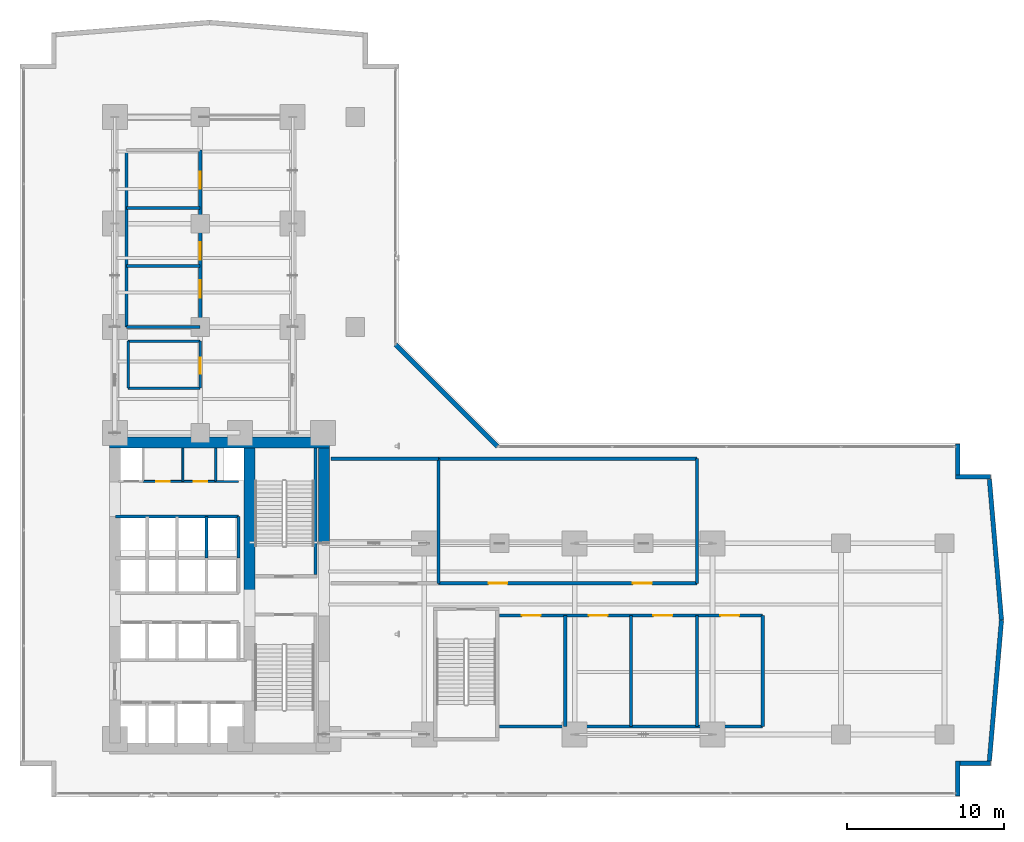
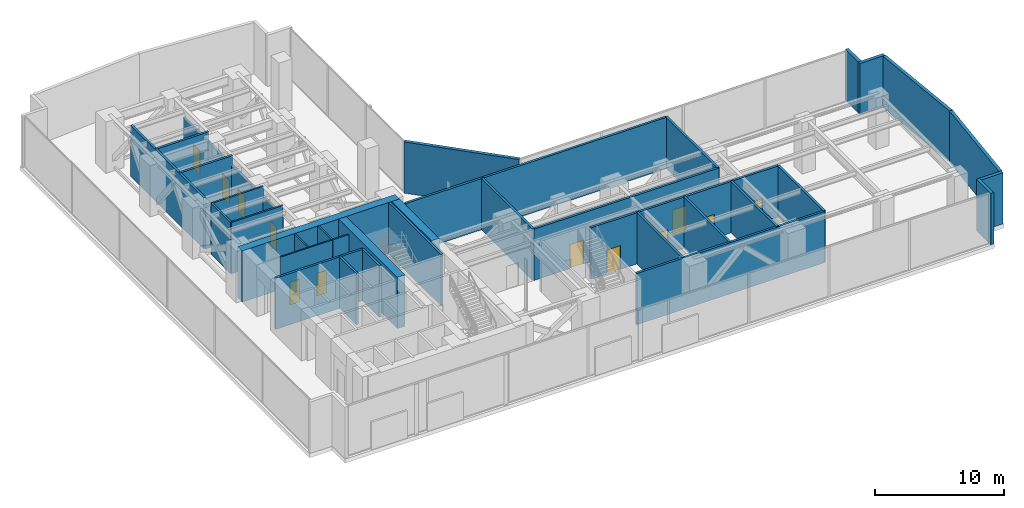
# One storey, part 33 of 36: 38 walls, 12 doors, 12 openings.
"""IFC4 building model written with IfcOpenShell, lengths in metres."""

from ifc_helpers import new_model, si_unit, direction, frame, frame_2d, origin, place, context, subcontext, project, spatial, rectangle, extrude, material, layer, layer_set, type_object, element, fill, save


model = new_model("IFC4")

# Units and contexts
model_context = context("Model", 3, precision=1e-05, world=origin(), true_north=direction((0.0, 1.0)))
body_context = subcontext(model_context, "Body", "Model", "MODEL_VIEW")
ifc_project = project(units=[si_unit("LENGTHUNIT", "METRE"), si_unit("AREAUNIT", "SQUARE_METRE"), si_unit("VOLUMEUNIT", "CUBIC_METRE"), si_unit("PLANEANGLEUNIT", "RADIAN"), si_unit("MASSUNIT", "GRAM", prefix="KILO")], contexts=[model_context])

# Site, building, storey
site_placement = place(None, origin())
site = spatial("IfcSite", under=ifc_project, at=site_placement, CompositionType="ELEMENT")
building_placement = place(site_placement, origin())
building = spatial("IfcBuilding", under=site, at=building_placement, Name="Kolvaren Waterfront Exchange", CompositionType="ELEMENT")
storey_placement = place(building_placement, frame((0.0, 0.0, 82.800048828125)))
storey = spatial("IfcBuildingStorey", under=building, at=storey_placement, Name="L21", CompositionType="ELEMENT", Elevation=82.800048828125)

# Walls
ifc_material_1 = material(Name="Precast concrete C40/50", Category="concrete")
ifc_layer_1 = layer(ifc_material_1, 0.280029296875, Name="Precast concrete C40/50")
ifc_layer_set_1 = layer_set([ifc_layer_1], Name="Precast concrete C40/50")
wall_type_1 = type_object("IfcWallType", Name="ARC-EXT-TERR-280", PredefinedType="SOLIDWALL", material=ifc_layer_set_1)
wall_1_placement = place(storey_placement, frame((61.239990234375, 1.260009765625, 0.0), z_axis=(0.0, 0.0, 1.0), x_axis=(0.0, 1.0, 0.0)))
element("IfcWall", 1, at=wall_1_placement, inside=storey, type_object=wall_type_1, Name="L21 notched corner spandrel pier SE-A", PredefinedType="SOLIDWALL", context=body_context, shape_type="SweptSolid", body=[
    extrude(rectangle(XDim=2.239990234375, YDim=0.280029296875, at=frame_2d((1.1201171875, 0.0))), origin(), (0.0, 0.0, 1.0), 4.83984375),
])
wall_2_placement = place(storey_placement, frame((61.3798828125, 3.360107421875, 0.0), z_axis=(0.0, 0.0, 1.0), x_axis=(1.0, 0.0, 0.0)))
element("IfcWall", 2, at=wall_2_placement, inside=storey, type_object=wall_type_1, Name="L21 notched corner spandrel pier SE-B", PredefinedType="SOLIDWALL", context=body_context, shape_type="SweptSolid", body=[
    extrude(rectangle(XDim=1.960205078125, YDim=0.280029296875, at=frame_2d((0.97998046875, 0.0))), origin(), (0.0, 0.0, 1.0), 4.83984375),
])
wall_3_placement = place(storey_placement, frame((61.239990234375, 21.764892578125, 0.0), z_axis=(0.0, 0.0, 1.0), x_axis=(0.0, 1.0, 0.0)))
element("IfcWall", 3, at=wall_3_placement, inside=storey, type_object=wall_type_1, Name="L21 notched corner spandrel pier ENE-A", PredefinedType="SOLIDWALL", context=body_context, shape_type="SweptSolid", body=[
    extrude(rectangle(XDim=1.97509765625, YDim=0.280029296875, at=frame_2d((0.987548828125, 0.0))), origin(), (0.0, 0.0, 1.0), 4.83984375),
])
wall_4_placement = place(storey_placement, frame((61.10009765625, 21.639892578125, 0.0), z_axis=(0.0, 0.0, 1.0), x_axis=(1.0, 0.0, 0.0)))
element("IfcWall", 4, at=wall_4_placement, inside=storey, type_object=wall_type_1, Name="L21 notched corner spandrel pier ENE-B", PredefinedType="SOLIDWALL", context=body_context, shape_type="SweptSolid", body=[
    extrude(rectangle(XDim=2.239990234375, YDim=0.280029296875, at=frame_2d((1.1201171875, 0.0))), origin(), (0.0, 0.0, 1.0), 4.83984375),
])
wall_5_placement = place(storey_placement, frame((31.885009765625, 23.574951171875, 0.0), z_axis=(0.0, 0.0, 1.0), x_axis=(-0.707106781187, 0.707106781187, 0.0)))
element("IfcWall", 5, at=wall_5_placement, inside=storey, type_object=wall_type_1, Name="L21 notched corner spandrel pier ELBOW", PredefinedType="SOLIDWALL", context=body_context, shape_type="SweptSolid", body=[
    extrude(rectangle(XDim=9.20654296875, YDim=0.280029296875, at=frame_2d((4.603271484375, 0.0))), origin(), (0.0, 0.0, 1.0), 4.83984375),
])
for number, where, z_axis, x_axis, name in (
    (6, (63.266357421875, 3.5126953125, 0.0), (0.0, 0.0, 1.0), (0.085692274626, 0.996321651912, 0.0), "L21 east prow faceted facade wall 1"),
    (7, (64.038818359375, 12.506103515625, 0.0), (0.0, 0.0, 1.0), (-0.085692274626, 0.996321651912, 0.0), "L21 east prow faceted facade wall 2"),
):
    element("IfcWall", number, at=place(storey_placement, frame(where, z_axis=z_axis, x_axis=x_axis)), inside=storey, type_object=wall_type_1, Name=name, PredefinedType="SOLIDWALL", context=body_context, shape_type="SweptSolid", body=[
        extrude(rectangle(XDim=9.014404296875, YDim=0.280029296875, at=frame_2d((4.50732421875, 0.0))), origin(), (0.0, 0.0, 1.0), 4.83984375),
    ])

# Wall, openings, doors
ifc_layer_2 = layer(ifc_material_1, 0.199951171875, Name="Precast concrete C40/50")
ifc_layer_set_2 = layer_set([ifc_layer_2], Name="Precast concrete C40/50")
wall_type_2 = type_object("IfcWallType", Name="ARC-FIRE-200", PredefinedType="PARTITIONING", material=ifc_layer_set_2)
wall_6_placement = place(storey_placement, frame((28.10009765625, 14.85009765625, 0.0), z_axis=(0.0, 0.0, 1.0), x_axis=(1.0, 0.0, 0.0)))
wall_6 = element("IfcWall", 8, at=wall_6_placement, inside=storey, type_object=wall_type_2, Name="L21 interior wall PW-L21-REF-S", PredefinedType="PARTITIONING", context=body_context, shape_type="SweptSolid", body=[
    extrude(rectangle(XDim=16.5, YDim=0.199951171875, at=frame_2d((8.25, 0.0))), origin(), (0.0, 0.0, 1.0), 4.83984375),
])
opening_1_placement = place(wall_6_placement, frame((3.199951171875, 0.0, 0.0)))
opening_1 = element("IfcOpeningElement", 9, at=opening_1_placement, cuts=wall_6, Name="Opening FD3", PredefinedType="OPENING", context=body_context, shape_type="SweptSolid", body=[
    extrude(rectangle(XDim=1.199951171875, YDim=2.25, at=frame_2d((0.60009765625, 1.125))), frame((0.0, 0.10986328125, 0.0), z_axis=(0.0, -1.0, 0.0), x_axis=(1.0, 0.0, 0.0)), (0.0, 0.0, 1.0), 0.219970703125),
])
opening_2_placement = place(wall_6_placement, frame((12.421142578125, 0.0, 0.0)))
opening_2 = element("IfcOpeningElement", 10, at=opening_2_placement, cuts=wall_6, Name="Opening FD3", PredefinedType="OPENING", context=body_context, shape_type="SweptSolid", body=[
    extrude(rectangle(XDim=1.199951171875, YDim=2.25, at=frame_2d((0.60009765625, 1.125))), frame((0.0, 0.10986328125, 0.0), z_axis=(0.0, -1.0, 0.0), x_axis=(1.0, 0.0, 0.0)), (0.0, 0.0, 1.0), 0.219970703125),
])
ifc_material_2 = material(Name="Pressed steel fire door", Category="steel")
door_type_1 = type_object("IfcDoorType", Name="ARC-FD-1200", OperationType="NOTDEFINED", PredefinedType="DOOR", material=ifc_material_2)
door_1_placement = place(opening_1_placement, origin())
door_1 = element("IfcDoor", 11, at=door_1_placement, inside=storey, type_object=door_type_1, Name="L21 door DR-L21-REF-D1 (FD3)", OperationType="SINGLE_SWING_RIGHT", OverallHeight=2.25, OverallWidth=1.199951171875, PredefinedType="DOOR", context=body_context, shape_type="SweptSolid", body=[
    extrude(rectangle(XDim=1.199951171875, YDim=2.25, at=frame_2d((0.60009765625, 1.125))), frame((0.0, 0.02490234375, 0.0), z_axis=(0.0, -1.0, 0.0), x_axis=(1.0, 0.0, 0.0)), (0.0, 0.0, 1.0), 0.050048828125),
])
fill(opening_1, door_1)
door_2_placement = place(opening_2_placement, origin())
door_2 = element("IfcDoor", 12, at=door_2_placement, inside=storey, type_object=door_type_1, Name="L21 door DR-L21-REF-D2 (FD3)", OperationType="SINGLE_SWING_LEFT", OverallHeight=2.25, OverallWidth=1.199951171875, PredefinedType="DOOR", context=body_context, shape_type="SweptSolid", body=[
    extrude(rectangle(XDim=1.199951171875, YDim=2.25, at=frame_2d((0.60009765625, 1.125))), frame((0.0, 0.02490234375, 0.0), z_axis=(0.0, -1.0, 0.0), x_axis=(1.0, 0.0, 0.0)), (0.0, 0.0, 1.0), 0.050048828125),
])
fill(opening_2, door_2)

# Walls
for number, where, z_axis, x_axis, name in (
    (13, (28.10009765625, 14.85009765625, 0.0), (0.0, 0.0, 1.0), (0.0, 1.0, 0.0), "L21 interior wall PW-L21-REF-W"),
    (14, (44.60009765625, 14.85009765625, 0.0), (0.0, 0.0, 1.0), (0.0, 1.0, 0.0), "L21 interior wall PW-L21-REF-E"),
):
    element("IfcWall", number, at=place(storey_placement, frame(where, z_axis=z_axis, x_axis=x_axis)), inside=storey, type_object=wall_type_2, Name=name, PredefinedType="PARTITIONING", context=body_context, shape_type="SweptSolid", body=[
        extrude(rectangle(XDim=7.949951171875, YDim=0.199951171875, at=frame_2d((3.97509765625, 0.0))), origin(), (0.0, 0.0, 1.0), 4.83984375),
    ])
wall_7_placement = place(storey_placement, frame((28.10009765625, 22.800048828125, 0.0), z_axis=(0.0, 0.0, 1.0), x_axis=(1.0, 0.0, 0.0)))
element("IfcWall", 15, at=wall_7_placement, inside=storey, type_object=wall_type_2, Name="L21 interior wall PW-L21-REF-N", PredefinedType="PARTITIONING", context=body_context, shape_type="SweptSolid", body=[
    extrude(rectangle(XDim=16.5, YDim=0.199951171875, at=frame_2d((8.25, 0.0))), origin(), (0.0, 0.0, 1.0), 4.83984375),
])
wall_8_placement = place(storey_placement, frame((21.25, 22.800048828125, 0.0), z_axis=(0.0, 0.0, 1.0), x_axis=(1.0, 0.0, 0.0)))
element("IfcWall", 16, at=wall_8_placement, inside=storey, type_object=wall_type_2, Name="L21 interior wall PW-L21-OAPL-N", PredefinedType="PARTITIONING", context=body_context, shape_type="SweptSolid", body=[
    extrude(rectangle(XDim=6.85009765625, YDim=0.199951171875, at=frame_2d((3.425048828125, 0.0))), origin(), (0.0, 0.0, 1.0), 4.83984375),
])

# Wall, openings, doors
wall_9_placement = place(storey_placement, frame((32.0, 12.800048828125, 0.0), z_axis=(0.0, 0.0, 1.0), x_axis=(1.0, 0.0, 0.0)))
wall_9 = element("IfcWall", 17, at=wall_9_placement, inside=storey, type_object=wall_type_2, Name="L21 interior wall PW-L21-PL-N1", PredefinedType="PARTITIONING", context=body_context, shape_type="SweptSolid", body=[
    extrude(rectangle(XDim=16.800048828125, YDim=0.199951171875, at=frame_2d((8.39990234375, 0.0))), origin(), (0.0, 0.0, 1.0), 4.83984375),
])
opening_3_placement = place(wall_9_placement, frame((1.429931640625, 0.0, 0.0)))
opening_3 = element("IfcOpeningElement", 18, at=opening_3_placement, cuts=wall_9, Name="Opening FD3", PredefinedType="OPENING", context=body_context, shape_type="SweptSolid", body=[
    extrude(rectangle(XDim=1.199951171875, YDim=2.25, at=frame_2d((0.60009765625, 1.125))), frame((0.0, 0.10986328125, 0.0), z_axis=(0.0, -1.0, 0.0), x_axis=(1.0, 0.0, 0.0)), (0.0, 0.0, 1.0), 0.219970703125),
])
opening_4_placement = place(wall_9_placement, frame((5.699951171875, 0.0, 0.0)))
opening_4 = element("IfcOpeningElement", 19, at=opening_4_placement, cuts=wall_9, Name="Opening FD3", PredefinedType="OPENING", context=body_context, shape_type="SweptSolid", body=[
    extrude(rectangle(XDim=1.199951171875, YDim=2.25, at=frame_2d((0.60009765625, 1.125))), frame((0.0, 0.10986328125, 0.0), z_axis=(0.0, -1.0, 0.0), x_axis=(1.0, 0.0, 0.0)), (0.0, 0.0, 1.0), 0.219970703125),
])
opening_5_placement = place(wall_9_placement, frame((9.830078125, 0.0, 0.0)))
opening_5 = element("IfcOpeningElement", 20, at=opening_5_placement, cuts=wall_9, Name="Opening FD3", PredefinedType="OPENING", context=body_context, shape_type="SweptSolid", body=[
    extrude(rectangle(XDim=1.199951171875, YDim=2.25, at=frame_2d((0.60009765625, 1.125))), frame((0.0, 0.10986328125, 0.0), z_axis=(0.0, -1.0, 0.0), x_axis=(1.0, 0.0, 0.0)), (0.0, 0.0, 1.0), 0.219970703125),
])
opening_6_placement = place(wall_9_placement, frame((14.10009765625, 0.0, 0.0)))
opening_6 = element("IfcOpeningElement", 21, at=opening_6_placement, cuts=wall_9, Name="Opening FD3", PredefinedType="OPENING", context=body_context, shape_type="SweptSolid", body=[
    extrude(rectangle(XDim=1.199951171875, YDim=2.25, at=frame_2d((0.60009765625, 1.125))), frame((0.0, 0.10986328125, 0.0), z_axis=(0.0, -1.0, 0.0), x_axis=(1.0, 0.0, 0.0)), (0.0, 0.0, 1.0), 0.219970703125),
])
door_3_placement = place(opening_3_placement, origin())
door_3 = element("IfcDoor", 22, at=door_3_placement, inside=storey, type_object=door_type_1, Name="L21 door DR-L21-PLES-D1 (FD3)", OperationType="SINGLE_SWING_RIGHT", OverallHeight=2.25, OverallWidth=1.199951171875, PredefinedType="DOOR", context=body_context, shape_type="SweptSolid", body=[
    extrude(rectangle(XDim=1.199951171875, YDim=2.25, at=frame_2d((0.60009765625, 1.125))), frame((0.0, 0.02490234375, 0.0), z_axis=(0.0, -1.0, 0.0), x_axis=(1.0, 0.0, 0.0)), (0.0, 0.0, 1.0), 0.050048828125),
])
fill(opening_3, door_3)
door_4_placement = place(opening_4_placement, origin())
door_4 = element("IfcDoor", 23, at=door_4_placement, inside=storey, type_object=door_type_1, Name="L21 door DR-L21-PLES-D2 (FD3)", OperationType="SINGLE_SWING_LEFT", OverallHeight=2.25, OverallWidth=1.199951171875, PredefinedType="DOOR", context=body_context, shape_type="SweptSolid", body=[
    extrude(rectangle(XDim=1.199951171875, YDim=2.25, at=frame_2d((0.60009765625, 1.125))), frame((0.0, 0.02490234375, 0.0), z_axis=(0.0, -1.0, 0.0), x_axis=(1.0, 0.0, 0.0)), (0.0, 0.0, 1.0), 0.050048828125),
])
fill(opening_4, door_4)
door_5_placement = place(opening_5_placement, origin())
door_5 = element("IfcDoor", 24, at=door_5_placement, inside=storey, type_object=door_type_1, Name="L21 door DR-L21-PLES-D3 (FD3)", OperationType="SINGLE_SWING_RIGHT", OverallHeight=2.25, OverallWidth=1.199951171875, PredefinedType="DOOR", context=body_context, shape_type="SweptSolid", body=[
    extrude(rectangle(XDim=1.199951171875, YDim=2.25, at=frame_2d((0.60009765625, 1.125))), frame((0.0, 0.02490234375, 0.0), z_axis=(0.0, -1.0, 0.0), x_axis=(1.0, 0.0, 0.0)), (0.0, 0.0, 1.0), 0.050048828125),
])
fill(opening_5, door_5)
door_6_placement = place(opening_6_placement, origin())
door_6 = element("IfcDoor", 25, at=door_6_placement, inside=storey, type_object=door_type_1, Name="L21 door DR-L21-PLES-D4 (FD3)", OperationType="SINGLE_SWING_LEFT", OverallHeight=2.25, OverallWidth=1.199951171875, PredefinedType="DOOR", context=body_context, shape_type="SweptSolid", body=[
    extrude(rectangle(XDim=1.199951171875, YDim=2.25, at=frame_2d((0.60009765625, 1.125))), frame((0.0, 0.02490234375, 0.0), z_axis=(0.0, -1.0, 0.0), x_axis=(1.0, 0.0, 0.0)), (0.0, 0.0, 1.0), 0.050048828125),
])
fill(opening_6, door_6)

# Walls
wall_10_placement = place(storey_placement, frame((48.800048828125, 5.699951171875, 0.0), z_axis=(0.0, 0.0, 1.0), x_axis=(0.0, 1.0, 0.0)))
element("IfcWall", 26, at=wall_10_placement, inside=storey, type_object=wall_type_2, Name="L21 interior wall PW-L21-PL-E1", PredefinedType="PARTITIONING", context=body_context, shape_type="SweptSolid", body=[
    extrude(rectangle(XDim=7.10009765625, YDim=0.199951171875, at=frame_2d((3.550048828125, 0.0))), origin(), (0.0, 0.0, 1.0), 4.83984375),
])
wall_11_placement = place(storey_placement, frame((32.0, 5.699951171875, 0.0), z_axis=(0.0, 0.0, 1.0), x_axis=(1.0, 0.0, 0.0)))
element("IfcWall", 27, at=wall_11_placement, inside=storey, type_object=wall_type_2, Name="L21 interior wall PW-L21-PL-S1", PredefinedType="PARTITIONING", context=body_context, shape_type="SweptSolid", body=[
    extrude(rectangle(XDim=16.800048828125, YDim=0.199951171875, at=frame_2d((8.39990234375, 0.0))), origin(), (0.0, 0.0, 1.0), 4.83984375),
])
for number, where, z_axis, x_axis, name in (
    (28, (36.199951171875, 5.699951171875, 0.0), (0.0, 0.0, 1.0), (0.0, 1.0, 0.0), "L21 interior wall PW-L21-PL-M1-1"),
    (29, (40.39990234375, 5.699951171875, 0.0), (0.0, 0.0, 1.0), (0.0, 1.0, 0.0), "L21 interior wall PW-L21-PL-M1-2"),
    (30, (44.60009765625, 5.699951171875, 0.0), (0.0, 0.0, 1.0), (0.0, 1.0, 0.0), "L21 interior wall PW-L21-PL-M1-3"),
):
    element("IfcWall", number, at=place(storey_placement, frame(where, z_axis=z_axis, x_axis=x_axis)), inside=storey, type_object=wall_type_2, Name=name, PredefinedType="PARTITIONING", context=body_context, shape_type="SweptSolid", body=[
        extrude(rectangle(XDim=7.10009765625, YDim=0.199951171875, at=frame_2d((3.550048828125, 0.0))), origin(), (0.0, 0.0, 1.0), 4.83984375),
    ])

# Wall, openings, doors
wall_12_placement = place(storey_placement, frame((12.89990234375, 31.199951171875, 0.0), z_axis=(0.0, 0.0, 1.0), x_axis=(0.0, 1.0, 0.0)))
wall_12 = element("IfcWall", 31, at=wall_12_placement, inside=storey, type_object=wall_type_2, Name="L21 interior wall PW-L21-PL-E3", PredefinedType="PARTITIONING", context=body_context, shape_type="SweptSolid", body=[
    extrude(rectangle(XDim=11.300048828125, YDim=0.199951171875, at=frame_2d((5.64990234375, 0.0))), origin(), (0.0, 0.0, 1.0), 3.93994140625),
])
opening_7_placement = place(wall_12_placement, frame((1.875, 0.0, 0.0)))
opening_7 = element("IfcOpeningElement", 32, at=opening_7_placement, cuts=wall_12, Name="Opening FD2", PredefinedType="OPENING", context=body_context, shape_type="SweptSolid", body=[
    extrude(rectangle(XDim=1.10009765625, YDim=2.199951171875, at=frame_2d((0.550048828125, 1.10009765625))), frame((0.0, 0.10986328125, 0.0), z_axis=(0.0, -1.0, 0.0), x_axis=(1.0, 0.0, 0.0)), (0.0, 0.0, 1.0), 0.219970703125),
])
opening_8_placement = place(wall_12_placement, frame((4.300048828125, 0.0, 0.0)))
opening_8 = element("IfcOpeningElement", 33, at=opening_8_placement, cuts=wall_12, Name="Opening FD2", PredefinedType="OPENING", context=body_context, shape_type="SweptSolid", body=[
    extrude(rectangle(XDim=1.10009765625, YDim=2.199951171875, at=frame_2d((0.550048828125, 1.10009765625))), frame((0.0, 0.10986328125, 0.0), z_axis=(0.0, -1.0, 0.0), x_axis=(1.0, 0.0, 0.0)), (0.0, 0.0, 1.0), 0.219970703125),
])
opening_9_placement = place(wall_12_placement, frame((8.827392578125, 0.0, 0.0)))
opening_9 = element("IfcOpeningElement", 34, at=opening_9_placement, cuts=wall_12, Name="Opening FD2", PredefinedType="OPENING", context=body_context, shape_type="SweptSolid", body=[
    extrude(rectangle(XDim=1.10009765625, YDim=2.199951171875, at=frame_2d((0.550048828125, 1.10009765625))), frame((0.0, 0.10986328125, 0.0), z_axis=(0.0, -1.0, 0.0), x_axis=(1.0, 0.0, 0.0)), (0.0, 0.0, 1.0), 0.219970703125),
])
ifc_material_3 = material(Name="Pressed steel smoke-seal fire door", Category="steel")
door_type_2 = type_object("IfcDoorType", Name="ARC-FD-1100", OperationType="NOTDEFINED", PredefinedType="DOOR", material=ifc_material_3)
door_7_placement = place(opening_7_placement, origin())
door_7 = element("IfcDoor", 35, at=door_7_placement, inside=storey, type_object=door_type_2, Name="L21 door DR-L21-PLNW-D1 (FD2)", OperationType="SINGLE_SWING_RIGHT", OverallHeight=2.199951171875, OverallWidth=1.10009765625, PredefinedType="DOOR", context=body_context, shape_type="SweptSolid", body=[
    extrude(rectangle(XDim=1.10009765625, YDim=2.199951171875, at=frame_2d((0.550048828125, 1.10009765625))), frame((0.0, 0.02490234375, 0.0), z_axis=(0.0, -1.0, 0.0), x_axis=(1.0, 0.0, 0.0)), (0.0, 0.0, 1.0), 0.050048828125),
])
fill(opening_7, door_7)
door_8_placement = place(opening_8_placement, origin())
door_8 = element("IfcDoor", 36, at=door_8_placement, inside=storey, type_object=door_type_2, Name="L21 door DR-L21-PLNW-D2 (FD2)", OperationType="SINGLE_SWING_LEFT", OverallHeight=2.199951171875, OverallWidth=1.10009765625, PredefinedType="DOOR", context=body_context, shape_type="SweptSolid", body=[
    extrude(rectangle(XDim=1.10009765625, YDim=2.199951171875, at=frame_2d((0.550048828125, 1.10009765625))), frame((0.0, 0.02490234375, 0.0), z_axis=(0.0, -1.0, 0.0), x_axis=(1.0, 0.0, 0.0)), (0.0, 0.0, 1.0), 0.050048828125),
])
fill(opening_8, door_8)
door_9_placement = place(opening_9_placement, origin())
door_9 = element("IfcDoor", 37, at=door_9_placement, inside=storey, type_object=door_type_2, Name="L21 door DR-L21-PLNW-D3 (FD2)", OperationType="SINGLE_SWING_RIGHT", OverallHeight=2.199951171875, OverallWidth=1.10009765625, PredefinedType="DOOR", context=body_context, shape_type="SweptSolid", body=[
    extrude(rectangle(XDim=1.10009765625, YDim=2.199951171875, at=frame_2d((0.550048828125, 1.10009765625))), frame((0.0, 0.02490234375, 0.0), z_axis=(0.0, -1.0, 0.0), x_axis=(1.0, 0.0, 0.0)), (0.0, 0.0, 1.0), 0.050048828125),
])
fill(opening_9, door_9)

# Walls
wall_13_placement = place(storey_placement, frame((8.199951171875, 31.199951171875, 0.0), z_axis=(0.0, 0.0, 1.0), x_axis=(0.0, 1.0, 0.0)))
element("IfcWall", 38, at=wall_13_placement, inside=storey, type_object=wall_type_2, Name="L21 interior wall PW-L21-PL-W3", PredefinedType="PARTITIONING", context=body_context, shape_type="SweptSolid", body=[
    extrude(rectangle(XDim=11.300048828125, YDim=0.199951171875, at=frame_2d((5.64990234375, 0.0))), origin(), (0.0, 0.0, 1.0), 4.83984375),
])
wall_14_placement = place(storey_placement, frame((8.199951171875, 31.199951171875, 0.0), z_axis=(0.0, 0.0, 1.0), x_axis=(1.0, 0.0, 0.0)))
element("IfcWall", 39, at=wall_14_placement, inside=storey, type_object=wall_type_2, Name="L21 interior wall PW-L21-PL-S3", PredefinedType="PARTITIONING", context=body_context, shape_type="SweptSolid", body=[
    extrude(rectangle(XDim=4.699951171875, YDim=0.199951171875, at=frame_2d((2.35009765625, 0.0))), origin(), (0.0, 0.0, 1.0), 3.93994140625),
])
for number, where, z_axis, x_axis, name in (
    (40, (8.199951171875, 35.10009765625, 0.0), (0.0, 0.0, 1.0), (1.0, 0.0, 0.0), "L21 interior wall PW-L21-PL-M3-1"),
    (41, (8.199951171875, 38.800048828125, 0.0), (0.0, 0.0, 1.0), (1.0, 0.0, 0.0), "L21 interior wall PW-L21-PL-M3-2"),
):
    element("IfcWall", number, at=place(storey_placement, frame(where, z_axis=z_axis, x_axis=x_axis)), inside=storey, type_object=wall_type_2, Name=name, PredefinedType="PARTITIONING", context=body_context, shape_type="SweptSolid", body=[
        extrude(rectangle(XDim=4.699951171875, YDim=0.199951171875, at=frame_2d((2.35009765625, 0.0))), origin(), (0.0, 0.0, 1.0), 4.83984375),
    ])

# Wall, openings, doors
ifc_material_4 = material(Name="Acoustic gypsum steel stud", Category="steel")
ifc_layer_3 = layer(ifc_material_4, 0.125, Name="Acoustic gypsum steel stud")
ifc_layer_set_3 = layer_set([ifc_layer_3], Name="Acoustic gypsum steel stud")
wall_type_3 = type_object("IfcWallType", Name="ARC-PART-125", PredefinedType="PARTITIONING", material=ifc_layer_set_3)
wall_15_placement = place(storey_placement, frame((9.25, 21.35009765625, 0.0), z_axis=(0.0, 0.0, 1.0), x_axis=(1.0, 0.0, 0.0)))
wall_15 = element("IfcWall", 42, at=wall_15_placement, inside=storey, type_object=wall_type_3, Name="L21 interior wall PW-L21-SVC-EX-S", PredefinedType="PARTITIONING", context=body_context, shape_type="SweptSolid", body=[
    extrude(rectangle(XDim=4.64990234375, YDim=0.125, at=frame_2d((2.324951171875, 0.0))), origin(), (0.0, 0.0, 1.0), 4.83984375),
])
opening_10_placement = place(wall_15_placement, frame((0.85009765625, 0.0, 0.0)))
opening_10 = element("IfcOpeningElement", 43, at=opening_10_placement, cuts=wall_15, Name="Opening D01", PredefinedType="OPENING", context=body_context, shape_type="SweptSolid", body=[
    extrude(rectangle(XDim=0.85009765625, YDim=2.14990234375, at=frame_2d((0.425048828125, 1.074951171875))), frame((0.0, 0.072509765625, 0.0), z_axis=(0.0, -1.0, 0.0), x_axis=(1.0, 0.0, 0.0)), (0.0, 0.0, 1.0), 0.14501953125),
])
opening_11_placement = place(wall_15_placement, frame((3.25, 0.0, 0.0)))
opening_11 = element("IfcOpeningElement", 44, at=opening_11_placement, cuts=wall_15, Name="Opening D01", PredefinedType="OPENING", context=body_context, shape_type="SweptSolid", body=[
    extrude(rectangle(XDim=0.85009765625, YDim=2.14990234375, at=frame_2d((0.425048828125, 1.074951171875))), frame((0.0, 0.072509765625, 0.0), z_axis=(0.0, -1.0, 0.0), x_axis=(1.0, 0.0, 0.0)), (0.0, 0.0, 1.0), 0.14501953125),
])
ifc_material_5 = material(Name="Oak veneer timber leaf", Category="wood")
door_type_3 = type_object("IfcDoorType", Name="ARC-DR-900", OperationType="NOTDEFINED", PredefinedType="DOOR", material=ifc_material_5)
door_10_placement = place(opening_10_placement, origin())
door_10 = element("IfcDoor", 45, at=door_10_placement, inside=storey, type_object=door_type_3, Name="L21 door DR-L21-SVC-DR-1 (D01)", OperationType="SINGLE_SWING_RIGHT", OverallHeight=2.14990234375, OverallWidth=0.85009765625, PredefinedType="DOOR", context=body_context, shape_type="SweptSolid", body=[
    extrude(rectangle(XDim=0.85009765625, YDim=2.14990234375, at=frame_2d((0.425048828125, 1.074951171875))), frame((0.0, 0.02490234375, 0.0), z_axis=(0.0, -1.0, 0.0), x_axis=(1.0, 0.0, 0.0)), (0.0, 0.0, 1.0), 0.050048828125),
])
fill(opening_10, door_10)
door_11_placement = place(opening_11_placement, origin())
door_11 = element("IfcDoor", 46, at=door_11_placement, inside=storey, type_object=door_type_3, Name="L21 door DR-L21-SVC-DR-2 (D01)", OperationType="SINGLE_SWING_LEFT", OverallHeight=2.14990234375, OverallWidth=0.85009765625, PredefinedType="DOOR", context=body_context, shape_type="SweptSolid", body=[
    extrude(rectangle(XDim=0.85009765625, YDim=2.14990234375, at=frame_2d((0.425048828125, 1.074951171875))), frame((0.0, 0.02490234375, 0.0), z_axis=(0.0, -1.0, 0.0), x_axis=(1.0, 0.0, 0.0)), (0.0, 0.0, 1.0), 0.050048828125),
])
fill(opening_11, door_11)

# Walls
wall_16_placement = place(storey_placement, frame((11.800048828125, 21.35009765625, 0.0), z_axis=(0.0, 0.0, 1.0), x_axis=(0.0, 1.0, 0.0)))
element("IfcWall", 47, at=wall_16_placement, inside=storey, type_object=wall_type_3, Name="L21 interior wall PW-L21-SVC-PL-M", PredefinedType="PARTITIONING", context=body_context, shape_type="SweptSolid", body=[
    extrude(rectangle(XDim=2.1298828125, YDim=0.125, at=frame_2d((1.06494140625, 0.0))), origin(), (0.0, 0.0, 1.0), 4.83984375),
])
ifc_material_6 = material(Name="Gypsum fireboard steel stud", Category="steel")
ifc_layer_4 = layer(ifc_material_6, 0.14990234375, Name="Gypsum fireboard steel stud")
ifc_layer_set_4 = layer_set([ifc_layer_4], Name="Gypsum fireboard steel stud")
wall_type_4 = type_object("IfcWallType", Name="ARC-PART-150", PredefinedType="PARTITIONING", material=ifc_layer_set_4)
wall_17_placement = place(storey_placement, frame((13.89990234375, 21.35009765625, 0.0), z_axis=(0.0, 0.0, 1.0), x_axis=(0.0, 1.0, 0.0)))
element("IfcWall", 48, at=wall_17_placement, inside=storey, type_object=wall_type_4, Name="L21 interior wall PW-L21-SVC-R2", PredefinedType="PARTITIONING", context=body_context, shape_type="SweptSolid", body=[
    extrude(rectangle(XDim=2.1298828125, YDim=0.14990234375, at=frame_2d((1.06494140625, 0.0))), origin(), (0.0, 0.0, 1.0), 4.83984375),
])
wall_18_placement = place(storey_placement, frame((13.89990234375, 21.35009765625, 0.0), z_axis=(0.0, 0.0, 1.0), x_axis=(1.0, 0.0, 0.0)))
element("IfcWall", 49, at=wall_18_placement, inside=storey, type_object=wall_type_4, Name="L21 interior wall PW-L21-SVC-RP-S", PredefinedType="PARTITIONING", context=body_context, shape_type="SweptSolid", body=[
    extrude(rectangle(XDim=1.4501953125, YDim=0.14990234375, at=frame_2d((0.72509765625, 0.0))), origin(), (0.0, 0.0, 1.0), 4.83984375),
])
ifc_material_7 = material(Name="Moisture-resistant gypsum stud")
ifc_layer_5 = layer(ifc_material_7, 0.14990234375, Name="Moisture-resistant gypsum stud")
ifc_layer_set_5 = layer_set([ifc_layer_5], Name="Moisture-resistant gypsum stud")
wall_type_5 = type_object("IfcWallType", Name="ARC-PLUMB-150", PredefinedType="PLUMBINGWALL", material=ifc_layer_set_5)
wall_19_placement = place(storey_placement, frame((8.300048828125, 27.300048828125, 0.0), z_axis=(0.0, 0.0, 1.0), x_axis=(1.0, 0.0, 0.0)))
element("IfcWall", 50, at=wall_19_placement, inside=storey, type_object=wall_type_5, Name="L21 interior wall PW-L21-REF-WC-S", PredefinedType="PLUMBINGWALL", context=body_context, shape_type="SweptSolid", body=[
    extrude(rectangle(XDim=4.599853515625, YDim=0.14990234375, at=frame_2d((2.2998046875, 0.0))), origin(), (0.0, 0.0, 1.0), 4.83984375),
])
wall_20_placement = place(storey_placement, frame((8.300048828125, 27.300048828125, 0.0), z_axis=(0.0, 0.0, 1.0), x_axis=(0.0, 1.0, 0.0)))
element("IfcWall", 51, at=wall_20_placement, inside=storey, type_object=wall_type_5, Name="L21 interior wall PW-L21-REF-WC-W", PredefinedType="PLUMBINGWALL", context=body_context, shape_type="SweptSolid", body=[
    extrude(rectangle(XDim=3.0, YDim=0.14990234375, at=frame_2d((1.5, 0.0))), origin(), (0.0, 0.0, 1.0), 4.83984375),
])

# Wall, opening, door
wall_21_placement = place(storey_placement, frame((12.89990234375, 27.300048828125, 0.0), z_axis=(0.0, 0.0, 1.0), x_axis=(0.0, 1.0, 0.0)))
wall_21 = element("IfcWall", 52, at=wall_21_placement, inside=storey, type_object=wall_type_5, Name="L21 interior wall PW-L21-REF-WC-E", PredefinedType="PLUMBINGWALL", context=body_context, shape_type="SweptSolid", body=[
    extrude(rectangle(XDim=3.0, YDim=0.14990234375, at=frame_2d((1.5, 0.0))), origin(), (0.0, 0.0, 1.0), 3.93994140625),
])
opening_12_placement = place(wall_21_placement, frame((0.929931640625, 0.0, 0.0)))
opening_12 = element("IfcOpeningElement", 53, at=opening_12_placement, cuts=wall_21, Name="Opening D03", PredefinedType="OPENING", context=body_context, shape_type="SweptSolid", body=[
    extrude(rectangle(XDim=1.0, YDim=2.199951171875, at=frame_2d((0.5, 1.10009765625))), frame((0.0, 0.0849609375, 0.0), z_axis=(0.0, -1.0, 0.0), x_axis=(1.0, 0.0, 0.0)), (0.0, 0.0, 1.0), 0.169921875),
])
ifc_material_8 = material(Name="Oak veneer accessible timber", Category="wood")
door_type_4 = type_object("IfcDoorType", Name="ARC-DR-1000", OperationType="NOTDEFINED", PredefinedType="DOOR", material=ifc_material_8)
door_12_placement = place(opening_12_placement, origin())
door_12 = element("IfcDoor", 54, at=door_12_placement, inside=storey, type_object=door_type_4, Name="L21 door DR-L21-REF-WCD (D03)", OperationType="SINGLE_SWING_LEFT", OverallHeight=2.199951171875, OverallWidth=1.0, PredefinedType="DOOR", context=body_context, shape_type="SweptSolid", body=[
    extrude(rectangle(XDim=1.0, YDim=2.199951171875, at=frame_2d((0.5, 1.10009765625))), frame((0.0, 0.02490234375, 0.0), z_axis=(0.0, -1.0, 0.0), x_axis=(1.0, 0.0, 0.0)), (0.0, 0.0, 1.0), 0.050048828125),
])
fill(opening_12, door_12)

# Walls
wall_22_placement = place(storey_placement, frame((8.300048828125, 30.300048828125, 0.0), z_axis=(0.0, 0.0, 1.0), x_axis=(1.0, 0.0, 0.0)))
element("IfcWall", 55, at=wall_22_placement, inside=storey, type_object=wall_type_5, Name="L21 interior wall PW-L21-REF-WC-N", PredefinedType="PLUMBINGWALL", context=body_context, shape_type="SweptSolid", body=[
    extrude(rectangle(XDim=4.599853515625, YDim=0.14990234375, at=frame_2d((2.2998046875, 0.0))), origin(), (0.0, 0.0, 1.0), 4.83984375),
])
ifc_material_9 = material(Name="Concrete C40/50", Category="concrete")
ifc_layer_6 = layer(ifc_material_9, 0.199951171875, Name="Concrete C40/50")
ifc_layer_set_6 = layer_set([ifc_layer_6], Name="Concrete C40/50")
wall_type_6 = type_object("IfcWallType", Name="ARC-SHAFT-200", PredefinedType="PARTITIONING", material=ifc_layer_set_6)
wall_23_placement = place(storey_placement, frame((20.260009765625, 15.39990234375, 0.0), z_axis=(0.0, 0.0, 1.0), x_axis=(0.0, 1.0, 0.0)))
element("IfcWall", 56, at=wall_23_placement, inside=storey, type_object=wall_type_6, Name="L21 structural stairwell wall PW-L21-ST2-E", PredefinedType="SHEAR", context=body_context, shape_type="SweptSolid", body=[
    extrude(rectangle(XDim=8.090087890625, YDim=0.199951171875, at=frame_2d((4.044921875, 0.0))), origin(), (0.0, 0.0, 1.0), 4.83984375),
])
wall_24_placement = place(storey_placement, frame((7.5, 19.1201171875, 0.0), z_axis=(0.0, 0.0, 1.0), x_axis=(1.0, 0.0, 0.0)))
element("IfcWall", 57, at=wall_24_placement, inside=storey, type_object=wall_type_6, Name="L21 interior wall PW-L21-PH-N", PredefinedType="PARTITIONING", context=body_context, shape_type="SweptSolid", body=[
    extrude(rectangle(XDim=7.85009765625, YDim=0.199951171875, at=frame_2d((3.925048828125, 0.0))), origin(), (0.0, 0.0, 1.0), 4.83984375),
])
for number, where, z_axis, x_axis, name in (
    (58, (15.35009765625, 16.449951171875, 0.0), (0.0, 0.0, 1.0), (0.0, 1.0, 0.0), "L21 interior wall PW-L21-PH-E"),
    (59, (13.300048828125, 16.449951171875, 0.0), (0.0, 0.0, 1.0), (0.0, 1.0, 0.0), "L21 interior wall PW-L21-SH4-DIV-133"),
):
    element("IfcWall", number, at=place(storey_placement, frame(where, z_axis=z_axis, x_axis=x_axis)), inside=storey, type_object=wall_type_6, Name=name, PredefinedType="PARTITIONING", context=body_context, shape_type="SweptSolid", body=[
        extrude(rectangle(XDim=2.670166015625, YDim=0.199951171875, at=frame_2d((1.3349609375, 0.0))), origin(), (0.0, 0.0, 1.0), 4.83984375),
    ])
ifc_material_10 = material(Name="Concrete C70/85", Category="concrete")
ifc_layer_7 = layer(ifc_material_10, 0.699951171875, Name="Concrete C70/85")
ifc_layer_set_7 = layer_set([ifc_layer_7], Name="Concrete C70/85")
wall_type_7 = type_object("IfcWallType", Name="STR-CWALL-700", PredefinedType="SHEAR", material=ifc_layer_set_7)
wall_25_placement = place(storey_placement, frame((7.10009765625, 23.85009765625, 0.0), z_axis=(0.0, 0.0, 1.0), x_axis=(1.0, 0.0, 0.0)))
element("IfcWall", 60, at=wall_25_placement, inside=storey, type_object=wall_type_7, Name="L21 rear-core shear wall N", PredefinedType="SHEAR", context=body_context, shape_type="SweptSolid", body=[
    extrude(rectangle(XDim=14.0498046875, YDim=0.699951171875, at=frame_2d((7.02490234375, 0.0))), origin(), (0.0, 0.0, 1.0), 4.83984375),
])
wall_26_placement = place(storey_placement, frame((20.800048828125, 17.35009765625, 0.0), z_axis=(0.0, 0.0, 1.0), x_axis=(0.0, 1.0, 0.0)))
element("IfcWall", 61, at=wall_26_placement, inside=storey, type_object=wall_type_7, Name="L21 rear-core shear wall E3", PredefinedType="SHEAR", context=body_context, shape_type="SweptSolid", body=[
    extrude(rectangle(XDim=6.14990234375, YDim=0.699951171875, at=frame_2d((3.074951171875, 0.0))), origin(), (0.0, 0.0, 1.0), 4.83984375),
])
wall_27_placement = place(storey_placement, frame((16.050048828125, 14.39990234375, 0.0), z_axis=(0.0, 0.0, 1.0), x_axis=(0.0, 1.0, 0.0)))
element("IfcWall", 62, at=wall_27_placement, inside=storey, type_object=wall_type_7, Name="L21 rear-core shear wall M3", PredefinedType="SHEAR", context=body_context, shape_type="SweptSolid", body=[
    extrude(rectangle(XDim=9.10009765625, YDim=0.699951171875, at=frame_2d((4.550048828125, 0.0))), origin(), (0.0, 0.0, 1.0), 4.83984375),
])

save(model, "model.ifc")
